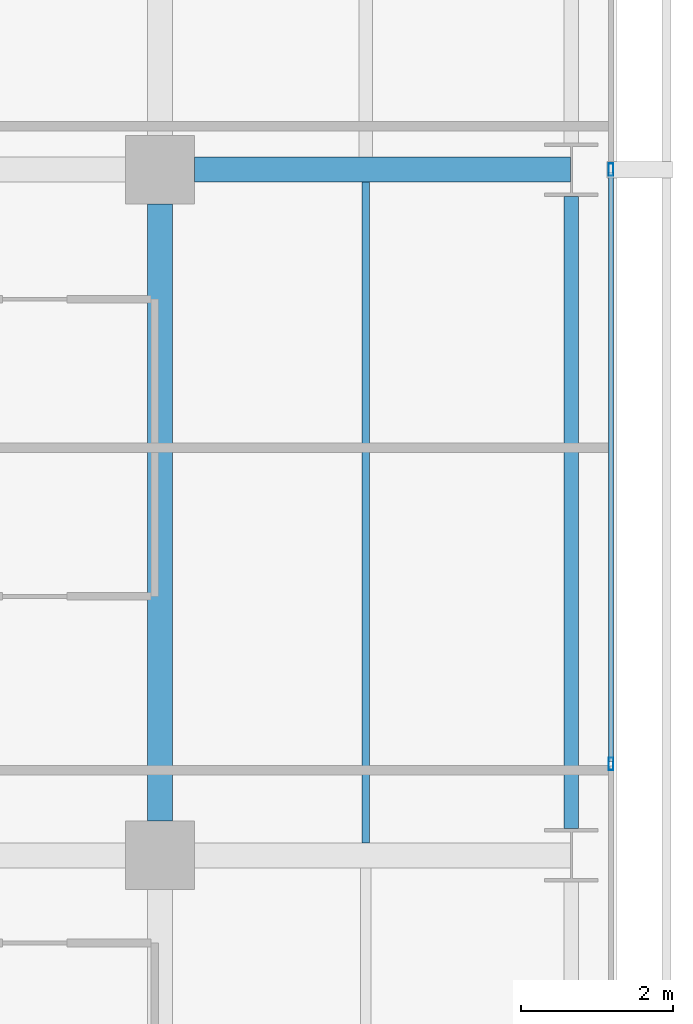
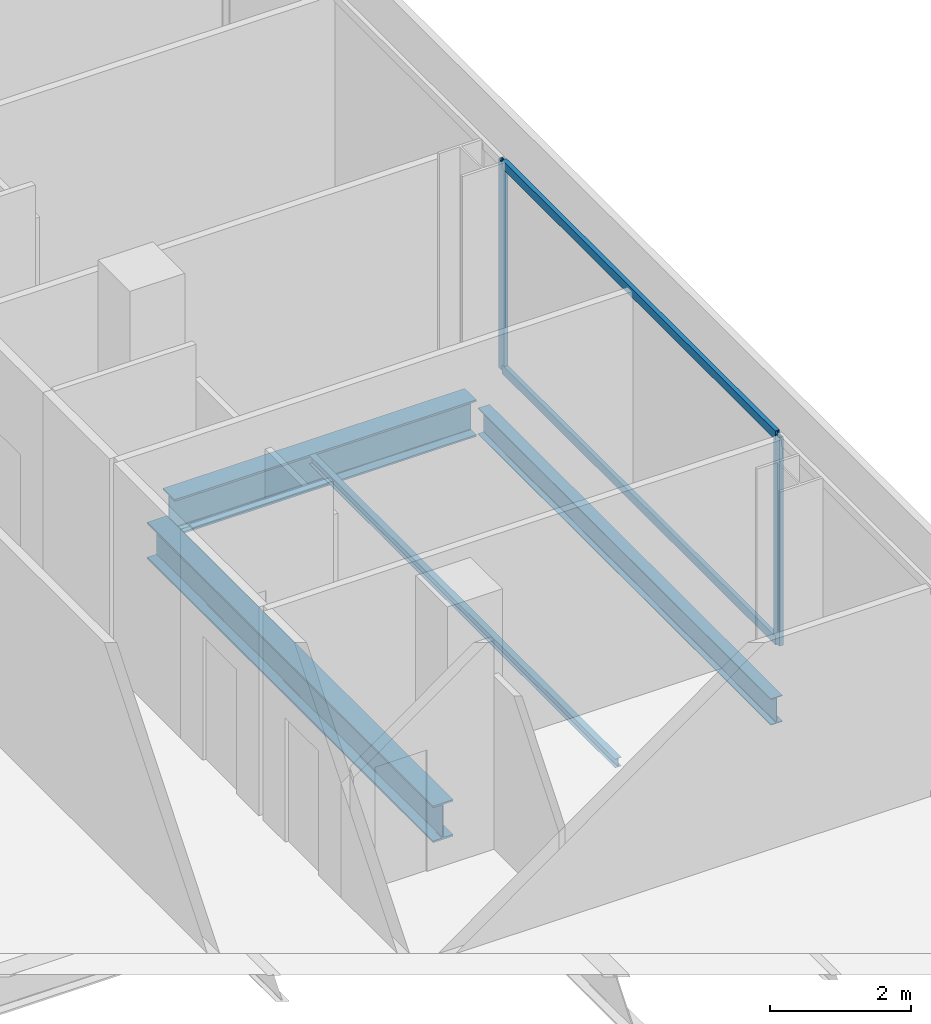
# One storey, part 19 of 40: 4 beams, 4 members, 1 element without a shape of its own.
"""IFC4 building model written with IfcOpenShell, lengths in metres."""

from ifc_helpers import new_model, si_unit, direction, frame, origin, origin_2d, place, context, subcontext, project, spatial, hollow_rectangle, i_section, extrude, material, layer, layer_set, material_profile, profile_set, type_object, element, aggregate, save


model = new_model("IFC4")

# Units and contexts
model_context = context("Model", 3, precision=1e-05, world=origin(), true_north=direction((0.0, 1.0)))
body_context = subcontext(model_context, "Body", "Model", "MODEL_VIEW")
ifc_project = project(units=[si_unit("LENGTHUNIT", "METRE"), si_unit("AREAUNIT", "SQUARE_METRE"), si_unit("VOLUMEUNIT", "CUBIC_METRE"), si_unit("PLANEANGLEUNIT", "RADIAN"), si_unit("MASSUNIT", "GRAM", prefix="KILO")], contexts=[model_context])

# Site, building, storey
site_placement = place(None, origin())
site = spatial("IfcSite", under=ifc_project, at=site_placement, CompositionType="ELEMENT")
building_placement = place(site_placement, origin())
building = spatial("IfcBuilding", under=site, at=building_placement, Name="Maruvema Waterfront Hotel and Observation Tower", CompositionType="ELEMENT")
storey_placement = place(building_placement, frame((0.0, 0.0, 34.64990234375)))
storey = spatial("IfcBuildingStorey", under=building, at=storey_placement, Name="L07", CompositionType="ELEMENT", Elevation=34.64990234375)

# Curtain wall, members
ifc_material_1 = material(Name="Anodised bronze aluminium and solar-control low-E IGU", Category="aluminium")
ifc_layer = layer(ifc_material_1, 0.159912109375, Name="Zone 1 Bronze Inner Thermal Curtain Wall System CW-02")
ifc_layer_set = layer_set([ifc_layer], Name="Anodised bronze aluminium and solar-control low-E IGU")
curtain_wall_type = type_object("IfcCurtainWallType", Name="Zone 1 Bronze Inner Thermal Curtain Wall System CW-02", PredefinedType="USERDEFINED", material=ifc_layer_set)
curtain_wall_placement = place(storey_placement, origin())
curtain_wall = element("IfcCurtainWall", 1, at=curtain_wall_placement, inside=storey, type_object=curtain_wall_type, Name="L07 Curtain Wall CW-L07-E", ObjectType="UNITISED CURTAIN WALL", PredefinedType="USERDEFINED")
ifc_material_2 = material(Name="Anodised architectural bronze aluminium", Category="aluminium")
ifc_material_profile_1 = material_profile(ifc_material_2, hollow_rectangle(XDim=0.070068359375, YDim=0.14990234375, WallThickness=0.00390625, at=origin_2d()), Name="ALU-T70x150")
ifc_profile_set_1 = profile_set([ifc_material_profile_1], Name="Anodised architectural bronze aluminium")
member_type_1 = type_object("IfcMemberType", Name="Curtain Wall Horizontal Transom ALU-T70x150", PredefinedType="USERDEFINED", material=ifc_profile_set_1)
member_1_placement = place(storey_placement, frame((64.719970703125, 19.22998046875, 0.030029296875), z_axis=(0.0, 1.0, 0.0), x_axis=(-1.0, 0.0, 0.0)))
member_1 = element("IfcMember", 2, at=member_1_placement, type_object=member_type_1, Name="CW-02 transom 3.1", ObjectType="TRANSOM", PredefinedType="USERDEFINED", context=body_context, shape_type="SweptSolid", body=[
    extrude(hollow_rectangle(XDim=0.070068359375, YDim=0.14990234375, WallThickness=0.00390625, at=origin_2d()), origin(), (0.0, 0.0, 1.0), 7.739990234375),
])
member_2_placement = place(storey_placement, frame((64.719970703125, 19.22998046875, 3.580078125), z_axis=(0.0, 1.0, 0.0), x_axis=(-1.0, 0.0, 0.0)))
member_2 = element("IfcMember", 3, at=member_2_placement, type_object=member_type_1, Name="CW-02 transom 3.2", ObjectType="TRANSOM", PredefinedType="USERDEFINED", context=body_context, shape_type="SweptSolid", body=[
    extrude(hollow_rectangle(XDim=0.070068359375, YDim=0.14990234375, WallThickness=0.00390625, at=origin_2d()), origin(), (0.0, 0.0, 1.0), 7.739990234375),
])
ifc_material_3 = material(Name="Anodised architectural bronze aluminium", Category="aluminium")
ifc_material_profile_2 = material_profile(ifc_material_3, hollow_rectangle(XDim=0.06494140625, YDim=0.1650390625, WallThickness=0.00390625, at=origin_2d()), Name="ALU-M65x165")
ifc_profile_set_2 = profile_set([ifc_material_profile_2], Name="Anodised architectural bronze aluminium")
member_type_2 = type_object("IfcMemberType", Name="Curtain Wall Primary Mullion ALU-M65x165", PredefinedType="MULLION", material=ifc_profile_set_2)
member_3_placement = place(storey_placement, frame((64.719970703125, 19.199951171875, 0.0), z_axis=(0.0, 0.0, 1.0), x_axis=(-1.0, 0.0, 0.0)))
member_3 = element("IfcMember", 4, at=member_3_placement, type_object=member_type_2, Name="CW-02 mullion 3", PredefinedType="MULLION", context=body_context, shape_type="SweptSolid", body=[
    extrude(hollow_rectangle(XDim=0.06494140625, YDim=0.1650390625, WallThickness=0.00390625, at=origin_2d()), origin(), (0.0, 0.0, 1.0), 3.610107421875),
])
member_4_placement = place(storey_placement, frame((64.719970703125, 27.0, 0.0), z_axis=(0.0, 0.0, 1.0), x_axis=(-1.0, 0.0, 0.0)))
member_4 = element("IfcMember", 5, at=member_4_placement, type_object=member_type_2, Name="CW-02 mullion 4", PredefinedType="MULLION", context=body_context, shape_type="SweptSolid", body=[
    extrude(hollow_rectangle(XDim=0.06494140625, YDim=0.1650390625, WallThickness=0.00390625, at=origin_2d()), origin(), (0.0, 0.0, 1.0), 3.610107421875),
])
aggregate(curtain_wall, [member_3, member_4, member_1, member_2])

# Beams
ifc_material_4 = material(Name="Steel ASTM A572 Grade 50", Category="steel")
ifc_material_profile_3 = material_profile(ifc_material_4, i_section(OverallWidth=0.18994140625, OverallDepth=0.45703125, WebThickness=0.009033203125, FlangeThickness=0.014404296875, FilletRadius=0.014892578125, at=origin_2d()), Name="W460x74.0")
ifc_profile_set_3 = profile_set([ifc_material_profile_3], Name="Steel ASTM A572 Grade 50")
beam_type_1 = type_object("IfcBeamType", Name="Perimeter Spandrel Beam W460x74.0", PredefinedType="SPANDREL", material=ifc_profile_set_3)
beam_1_placement = place(storey_placement, frame((64.199951171875, 18.35009765625, -0.468505859375), z_axis=(0.0, 1.0, 0.0), x_axis=(-1.0, 0.0, 0.0)))
element("IfcBeam", 6, at=beam_1_placement, inside=storey, type_object=beam_type_1, Name="L07 Floor Girder NS-34", PredefinedType="SPANDREL", context=body_context, shape_type="SweptSolid", body=[
    extrude(i_section(OverallWidth=0.18994140625, OverallDepth=0.45703125, WebThickness=0.009033203125, FlangeThickness=0.014404296875, FilletRadius=0.014892578125, at=origin_2d()), origin(), (0.0, 0.0, 1.0), 8.2998046875),
])
ifc_material_5 = material(Name="Steel ASTM A572 Grade 50", Category="steel")
ifc_material_profile_4 = material_profile(ifc_material_5, i_section(OverallWidth=0.3291015625, OverallDepth=0.635009765625, WebThickness=0.017822265625, FlangeThickness=0.031005859375, FilletRadius=0.01806640625, at=origin_2d()), Name="W610x241.0")
ifc_profile_set_4 = profile_set([ifc_material_profile_4], Name="Steel ASTM A572 Grade 50")
beam_type_2 = type_object("IfcBeamType", Name="Primary Floor Girder W610x241.0", PredefinedType="BEAM", material=ifc_profile_set_4)
beam_2_placement = place(storey_placement, frame((59.25, 27.0, -0.557373046875), z_axis=(1.0, 0.0, 0.0), x_axis=(0.0, 1.0, 0.0)))
element("IfcBeam", 7, at=beam_2_placement, inside=storey, type_object=beam_type_2, Name="L07 Floor Girder EW-24", PredefinedType="BEAM", context=body_context, shape_type="SweptSolid", body=[
    extrude(i_section(OverallWidth=0.3291015625, OverallDepth=0.635009765625, WebThickness=0.017822265625, FlangeThickness=0.031005859375, FilletRadius=0.01806640625, at=origin_2d()), origin(), (0.0, 0.0, 1.0), 4.93603515625),
])
beam_3_placement = place(storey_placement, frame((58.800048828125, 18.449951171875, -0.557373046875), z_axis=(0.0, 1.0, 0.0), x_axis=(-1.0, 0.0, 0.0)))
element("IfcBeam", 8, at=beam_3_placement, inside=storey, type_object=beam_type_2, Name="L07 Floor Girder NS-29", PredefinedType="BEAM", context=body_context, shape_type="SweptSolid", body=[
    extrude(i_section(OverallWidth=0.3291015625, OverallDepth=0.635009765625, WebThickness=0.017822265625, FlangeThickness=0.031005859375, FilletRadius=0.01806640625, at=origin_2d()), origin(), (0.0, 0.0, 1.0), 8.10009765625),
])
ifc_material_6 = material(Name="Steel ASTM A572 Grade 50", Category="steel")
ifc_material_profile_5 = material_profile(ifc_material_6, i_section(OverallWidth=0.10009765625, OverallDepth=0.153076171875, WebThickness=0.005859375, FlangeThickness=0.007080078125, FilletRadius=0.008056640625, at=origin_2d()), Name="W150x18.0")
ifc_profile_set_5 = profile_set([ifc_material_profile_5], Name="Steel ASTM A572 Grade 50")
beam_type_3 = type_object("IfcBeamType", Name="Secondary Floor Joist W150x18.0", PredefinedType="JOIST", material=ifc_profile_set_5)
beam_4_placement = place(storey_placement, frame((61.5, 18.16455078125, -0.31640625), z_axis=(0.0, 1.0, 0.0), x_axis=(-1.0, 0.0, 0.0)))
element("IfcBeam", 9, at=beam_4_placement, inside=storey, type_object=beam_type_3, Name="L07 Secondary Floor Joist JS-22", PredefinedType="JOIST", context=body_context, shape_type="SweptSolid", body=[
    extrude(i_section(OverallWidth=0.10009765625, OverallDepth=0.153076171875, WebThickness=0.005859375, FlangeThickness=0.007080078125, FilletRadius=0.008056640625, at=origin_2d()), origin(), (0.0, 0.0, 1.0), 8.6708984375),
])

save(model, "model.ifc")
